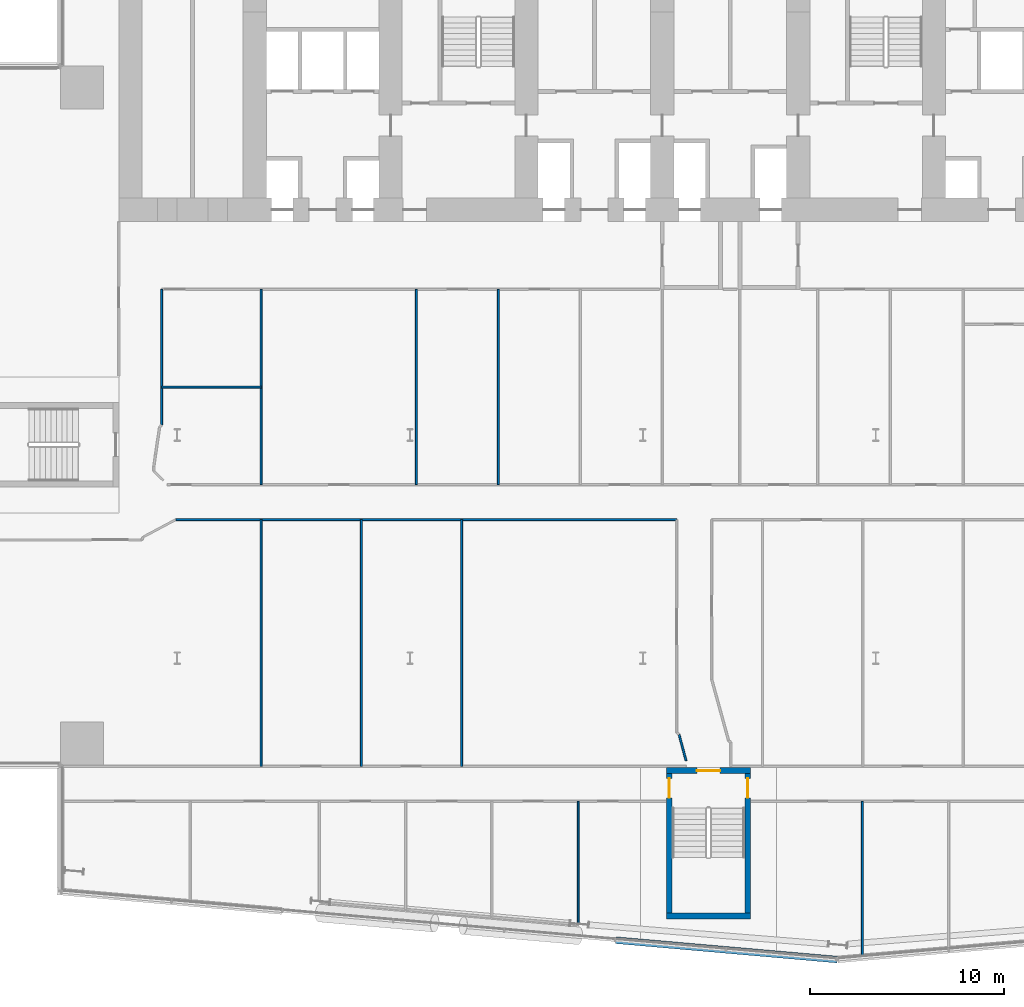
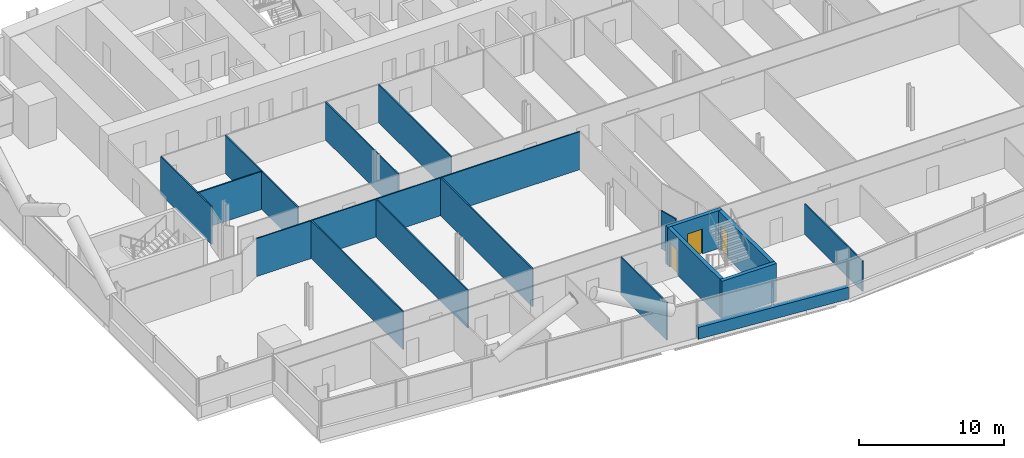
# One storey, part 14 of 28: 17 walls, 3 doors, 3 openings.
"""IFC4 building model written with IfcOpenShell, lengths in metres."""

from ifc_helpers import new_model, si_unit, direction, frame, frame_2d, origin, place, context, subcontext, project, spatial, rectangle, extrude, material, layer, layer_set, type_object, element, fill, save


model = new_model("IFC4")

# Units and contexts
model_context = context("Model", 3, precision=1e-05, world=origin(), true_north=direction((0.0, 1.0)))
body_context = subcontext(model_context, "Body", "Model", "MODEL_VIEW")
ifc_project = project(units=[si_unit("LENGTHUNIT", "METRE"), si_unit("AREAUNIT", "SQUARE_METRE"), si_unit("VOLUMEUNIT", "CUBIC_METRE"), si_unit("PLANEANGLEUNIT", "RADIAN"), si_unit("MASSUNIT", "GRAM", prefix="KILO")], contexts=[model_context])

# Site, building, storey
site_placement = place(None, origin())
site = spatial("IfcSite", under=ifc_project, at=site_placement, CompositionType="ELEMENT")
building_placement = place(site_placement, origin())
building = spatial("IfcBuilding", under=site, at=building_placement, Name="Wharfspan Tower", CompositionType="ELEMENT")
storey_placement = place(building_placement, frame((0.0, 0.0, 59.5)))
storey = spatial("IfcBuildingStorey", under=building, at=storey_placement, Name="L11", CompositionType="ELEMENT", Elevation=59.5)

# Walls
ifc_material_1 = material(Name="Gypsum board on steel studs", Category="steel")
ifc_layer_1 = layer(ifc_material_1, 0.100098)
ifc_layer_set_1 = layer_set([ifc_layer_1], Name="Gypsum board on steel studs")
wall_type_1 = type_object("IfcWallType", Name="Compartment wall 100 EI 60", PredefinedType="PARTITIONING", material=ifc_layer_set_1)
wall_1_placement = place(storey_placement, frame((11.199951, 23.514893, 0.0), z_axis=(0.0, 0.0, 1.0), x_axis=(0.0, 1.0, 0.0)))
element("IfcWall", 1, at=wall_1_placement, inside=storey, type_object=wall_type_1, Name="Partition L11.w013", PredefinedType="PARTITIONING", context=body_context, shape_type="SweptSolid", body=[
    extrude(rectangle(XDim=6.985107, YDim=0.100098, at=frame_2d((3.492676, 0.0))), origin(), (0.0, 0.0, 1.0), 3.199951),
])
wall_2_placement = place(storey_placement, frame((11.199951, 25.469971, 0.0), z_axis=(0.0, 0.0, 1.0), x_axis=(1.0, 0.0, 0.0)))
element("IfcWall", 2, at=wall_2_placement, inside=storey, type_object=wall_type_1, Name="Partition L11.w014", PredefinedType="PARTITIONING", context=body_context, shape_type="SweptSolid", body=[
    extrude(rectangle(XDim=5.13501, YDim=0.100098, at=frame_2d((2.567383, 0.0))), origin(), (0.0, 0.0, 1.0), 3.199951),
])
wall_3_placement = place(storey_placement, frame((11.935059, 18.639893, 0.0), z_axis=(0.0, 0.0, 1.0), x_axis=(1.0, 0.0, 0.0)))
element("IfcWall", 3, at=wall_3_placement, inside=storey, type_object=wall_type_1, Name="Partition L11.w018", PredefinedType="PARTITIONING", context=body_context, shape_type="SweptSolid", body=[
    extrude(rectangle(XDim=25.810059, YDim=0.100098, at=frame_2d((12.905029, 0.0))), origin(), (0.0, 0.0, 1.0), 3.199951),
])
wall_4_placement = place(storey_placement, frame((16.334961, 5.925049, 0.0), z_axis=(0.0, 0.0, 1.0), x_axis=(0.0, 1.0, 0.0)))
element("IfcWall", 4, at=wall_4_placement, inside=storey, type_object=wall_type_1, Name="Partition L11.w020", PredefinedType="PARTITIONING", context=body_context, shape_type="SweptSolid", body=[
    extrude(rectangle(XDim=12.714844, YDim=0.100098, at=frame_2d((6.357422, 0.0))), origin(), (0.0, 0.0, 1.0), 3.199951),
])
wall_5_placement = place(storey_placement, frame((16.334961, 20.445068, 0.0), z_axis=(0.0, 0.0, 1.0), x_axis=(0.0, 1.0, 0.0)))
element("IfcWall", 5, at=wall_5_placement, inside=storey, type_object=wall_type_1, Name="Partition L11.w021", PredefinedType="PARTITIONING", context=body_context, shape_type="SweptSolid", body=[
    extrude(rectangle(XDim=10.054932, YDim=0.100098, at=frame_2d((5.027344, 0.0))), origin(), (0.0, 0.0, 1.0), 3.199951),
])
wall_6_placement = place(storey_placement, frame((21.5, 5.925049, 0.0), z_axis=(0.0, 0.0, 1.0), x_axis=(0.0, 1.0, 0.0)))
element("IfcWall", 6, at=wall_6_placement, inside=storey, type_object=wall_type_1, Name="Partition L11.w023", PredefinedType="PARTITIONING", context=body_context, shape_type="SweptSolid", body=[
    extrude(rectangle(XDim=12.714844, YDim=0.100098, at=frame_2d((6.357422, 0.0))), origin(), (0.0, 0.0, 1.0), 3.199951),
])
wall_7_placement = place(storey_placement, frame((24.334961, 20.445068, 0.0), z_axis=(0.0, 0.0, 1.0), x_axis=(0.0, 1.0, 0.0)))
element("IfcWall", 7, at=wall_7_placement, inside=storey, type_object=wall_type_1, Name="Partition L11.w025", PredefinedType="PARTITIONING", context=body_context, shape_type="SweptSolid", body=[
    extrude(rectangle(XDim=10.054932, YDim=0.100098, at=frame_2d((5.027344, 0.0))), origin(), (0.0, 0.0, 1.0), 3.199951),
])
wall_8_placement = place(storey_placement, frame((26.665039, 5.925049, 0.0), z_axis=(0.0, 0.0, 1.0), x_axis=(0.0, 1.0, 0.0)))
element("IfcWall", 8, at=wall_8_placement, inside=storey, type_object=wall_type_1, Name="Partition L11.w026", PredefinedType="PARTITIONING", context=body_context, shape_type="SweptSolid", body=[
    extrude(rectangle(XDim=12.714844, YDim=0.100098, at=frame_2d((6.357422, 0.0))), origin(), (0.0, 0.0, 1.0), 3.199951),
])
wall_9_placement = place(storey_placement, frame((28.554932, 20.445068, 0.0), z_axis=(0.0, 0.0, 1.0), x_axis=(0.0, 1.0, 0.0)))
element("IfcWall", 9, at=wall_9_placement, inside=storey, type_object=wall_type_1, Name="Partition L11.w029", PredefinedType="PARTITIONING", context=body_context, shape_type="SweptSolid", body=[
    extrude(rectangle(XDim=10.054932, YDim=0.100098, at=frame_2d((5.027344, 0.0))), origin(), (0.0, 0.0, 1.0), 3.199951),
])
wall_10_placement = place(storey_placement, frame((32.669922, -2.225098, 0.0), z_axis=(0.0, 0.0, 1.0), x_axis=(0.0, 1.0, 0.0)))
element("IfcWall", 10, at=wall_10_placement, inside=storey, type_object=wall_type_1, Name="Partition L11.w031", PredefinedType="PARTITIONING", context=body_context, shape_type="SweptSolid", body=[
    extrude(rectangle(XDim=6.345215, YDim=0.100098, at=frame_2d((3.172607, 0.0))), origin(), (0.0, 0.0, 1.0), 3.199951),
])
wall_11_placement = place(storey_placement, frame((38.22998, 6.215088, 0.0), z_axis=(0.0, 0.0, 1.0), x_axis=(-0.260099, 0.965585, 0.0)))
element("IfcWall", 11, at=wall_11_placement, inside=storey, type_object=wall_type_1, Name="Partition L11.w036", PredefinedType="PARTITIONING", context=body_context, shape_type="SweptSolid", body=[
    extrude(rectangle(XDim=1.40332, YDim=0.100098, at=frame_2d((0.70166, 0.0))), origin(), (0.0, 0.0, 1.0), 3.199951),
])
wall_12_placement = place(storey_placement, frame((47.314941, -3.889404, 0.0), z_axis=(0.0, 0.0, 1.0), x_axis=(0.0, 1.0, 0.0)))
element("IfcWall", 12, at=wall_12_placement, inside=storey, type_object=wall_type_1, Name="Partition L11.w047", PredefinedType="PARTITIONING", context=body_context, shape_type="SweptSolid", body=[
    extrude(rectangle(XDim=8.009521, YDim=0.100098, at=frame_2d((4.004883, 0.0))), origin(), (0.0, 0.0, 1.0), 2.580078),
])
ifc_material_2 = material(Name="Concrete C40/50", Category="concrete")
ifc_layer_2 = layer(ifc_material_2, 0.350098)
ifc_layer_set_2 = layer_set([ifc_layer_2], Name="Concrete C40/50")
wall_type_2 = type_object("IfcWallType", Name="SPANDREL EXPOSED CONCRETE 350", PredefinedType="SOLIDWALL", material=ifc_layer_set_2)
wall_13_placement = place(storey_placement, frame((34.60083, -3.032227, 0.0), z_axis=(0.0, 0.0, 1.0), x_axis=(0.996193, -0.087148, 0.0)))
element("IfcWall", 13, at=wall_13_placement, inside=storey, type_object=wall_type_2, Name="Spandrel upstand L11 S1 2", PredefinedType="SOLIDWALL", context=body_context, shape_type="SweptSolid", body=[
    extrude(rectangle(XDim=11.458008, YDim=0.350098, at=frame_2d((5.729004, 0.0))), origin(), (0.0, 0.0, 1.0), 1.0),
])

# Wall, opening, door
ifc_layer_3 = layer(ifc_material_2, 0.300049)
ifc_layer_set_3 = layer_set([ifc_layer_3], Name="Concrete C40/50")
wall_type_3 = type_object("IfcWallType", Name="Stair core wall 300", PredefinedType="SHEAR", material=ifc_layer_set_3)
wall_14_placement = place(storey_placement, frame((37.208252, 5.710693, 0.0), z_axis=(0.0, 0.0, 1.0), x_axis=(1.0, 0.0, 0.0)))
wall_14 = element("IfcWall", 14, at=wall_14_placement, inside=storey, type_object=wall_type_3, Name="ST4 stair enclosure wall L11", PredefinedType="SHEAR", context=body_context, shape_type="SweptSolid", body=[
    extrude(rectangle(XDim=4.350098, YDim=0.300049, at=frame_2d((2.175049, 0.0))), origin(), (0.0, 0.0, 1.0), 3.199951),
])
opening_1_placement = place(wall_14_placement, frame((1.574951, 0.0, 0.0)))
opening_1 = element("IfcOpeningElement", 15, at=opening_1_placement, cuts=wall_14, Name="Opening SD4.L11", PredefinedType="OPENING", context=body_context, shape_type="SweptSolid", body=[
    extrude(rectangle(XDim=1.199951, YDim=2.100098, at=frame_2d((0.600098, 1.050049))), frame((0.0, 0.159912, 0.0), z_axis=(0.0, -1.0, 0.0), x_axis=(1.0, 0.0, 0.0)), (0.0, 0.0, 1.0), 0.320068),
])
ifc_material_3 = material(Name="Steel door leaf", Category="steel")
door_type_1 = type_object("IfcDoorType", Name="Stair door 1200x2100", OperationType="SINGLE_SWING_LEFT", PredefinedType="DOOR", material=ifc_material_3)
door_1_placement = place(opening_1_placement, origin())
door_1 = element("IfcDoor", 16, at=door_1_placement, inside=storey, type_object=door_type_1, Name="sd:L11:ST4z1", OperationType="SINGLE_SWING_RIGHT", OverallHeight=2.100098, OverallWidth=1.199951, PredefinedType="DOOR", context=body_context, shape_type="SweptSolid", body=[
    extrude(rectangle(XDim=1.199951, YDim=2.100098, at=frame_2d((0.600098, 1.050049))), frame((0.0, 0.024902, 0.0), z_axis=(0.0, -1.0, 0.0), x_axis=(1.0, 0.0, 0.0)), (0.0, 0.0, 1.0), 0.050049),
])
fill(opening_1, door_1)

wall_15_placement = place(storey_placement, frame((37.358398, -1.639404, 0.0), z_axis=(0.0, 0.0, 1.0), x_axis=(0.0, 1.0, 0.0)))
wall_15 = element("IfcWall", 17, at=wall_15_placement, inside=storey, type_object=wall_type_3, Name="ST4 stair enclosure wall L11", PredefinedType="SHEAR", context=body_context, shape_type="SweptSolid", body=[
    extrude(rectangle(XDim=7.199951, YDim=0.300049, at=frame_2d((3.600098, 0.0))), origin(), (0.0, 0.0, 1.0), 3.199951),
])
opening_2_placement = place(wall_15_placement, frame((5.94458, 0.0, 0.0)))
opening_2 = element("IfcOpeningElement", 18, at=opening_2_placement, cuts=wall_15, Name="Opening SS4W.L11", PredefinedType="OPENING", context=body_context, shape_type="SweptSolid", body=[
    extrude(rectangle(XDim=1.0, YDim=2.100098, at=frame_2d((0.5, 1.050049))), frame((0.0, 0.159912, 0.0), z_axis=(0.0, -1.0, 0.0), x_axis=(1.0, 0.0, 0.0)), (0.0, 0.0, 1.0), 0.320068),
])
door_type_2 = type_object("IfcDoorType", Name="Stair side door 1000x2100", OperationType="SINGLE_SWING_LEFT", PredefinedType="DOOR", material=ifc_material_3)
door_2_placement = place(opening_2_placement, origin())
door_2 = element("IfcDoor", 19, at=door_2_placement, inside=storey, type_object=door_type_2, Name="Stair side door", OperationType="SINGLE_SWING_LEFT", OverallHeight=2.100098, OverallWidth=1.0, PredefinedType="DOOR", context=body_context, shape_type="SweptSolid", body=[
    extrude(rectangle(XDim=1.0, YDim=2.100098, at=frame_2d((0.5, 1.050049))), frame((0.0, 0.024902, 0.0), z_axis=(0.0, -1.0, 0.0), x_axis=(1.0, 0.0, 0.0)), (0.0, 0.0, 1.0), 0.050049),
])
fill(opening_2, door_2)

wall_16_placement = place(storey_placement, frame((41.408203, -1.639404, 0.0), z_axis=(0.0, 0.0, 1.0), x_axis=(0.0, 1.0, 0.0)))
wall_16 = element("IfcWall", 20, at=wall_16_placement, inside=storey, type_object=wall_type_3, Name="ST4 stair enclosure wall L11", PredefinedType="SHEAR", context=body_context, shape_type="SweptSolid", body=[
    extrude(rectangle(XDim=7.199951, YDim=0.300049, at=frame_2d((3.600098, 0.0))), origin(), (0.0, 0.0, 1.0), 3.199951),
])
opening_3_placement = place(wall_16_placement, frame((5.94458, 0.0, 0.0)))
opening_3 = element("IfcOpeningElement", 21, at=opening_3_placement, cuts=wall_16, Name="Opening SS4E.L11", PredefinedType="OPENING", context=body_context, shape_type="SweptSolid", body=[
    extrude(rectangle(XDim=1.0, YDim=2.100098, at=frame_2d((0.5, 1.050049))), frame((0.0, 0.159912, 0.0), z_axis=(0.0, -1.0, 0.0), x_axis=(1.0, 0.0, 0.0)), (0.0, 0.0, 1.0), 0.320068),
])
door_3_placement = place(opening_3_placement, origin())
door_3 = element("IfcDoor", 22, at=door_3_placement, inside=storey, type_object=door_type_2, Name="Stair side door", OperationType="SINGLE_SWING_LEFT", OverallHeight=2.100098, OverallWidth=1.0, PredefinedType="DOOR", context=body_context, shape_type="SweptSolid", body=[
    extrude(rectangle(XDim=1.0, YDim=2.100098, at=frame_2d((0.5, 1.050049))), frame((0.0, 0.024902, 0.0), z_axis=(0.0, -1.0, 0.0), x_axis=(1.0, 0.0, 0.0)), (0.0, 0.0, 1.0), 0.050049),
])
fill(opening_3, door_3)

# Wall
wall_17_placement = place(storey_placement, frame((37.208252, -1.789307, 0.0), z_axis=(0.0, 0.0, 1.0), x_axis=(1.0, 0.0, 0.0)))
element("IfcWall", 23, at=wall_17_placement, inside=storey, type_object=wall_type_3, Name="ST4 stair enclosure wall L11", PredefinedType="SHEAR", context=body_context, shape_type="SweptSolid", body=[
    extrude(rectangle(XDim=4.350098, YDim=0.300049, at=frame_2d((2.175049, 0.0))), origin(), (0.0, 0.0, 1.0), 3.199951),
])

save(model, "model.ifc")
